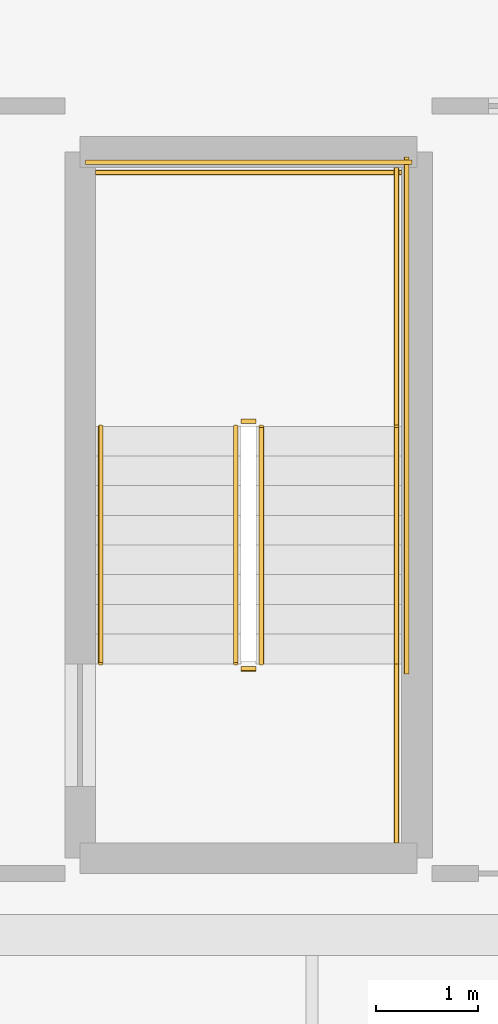
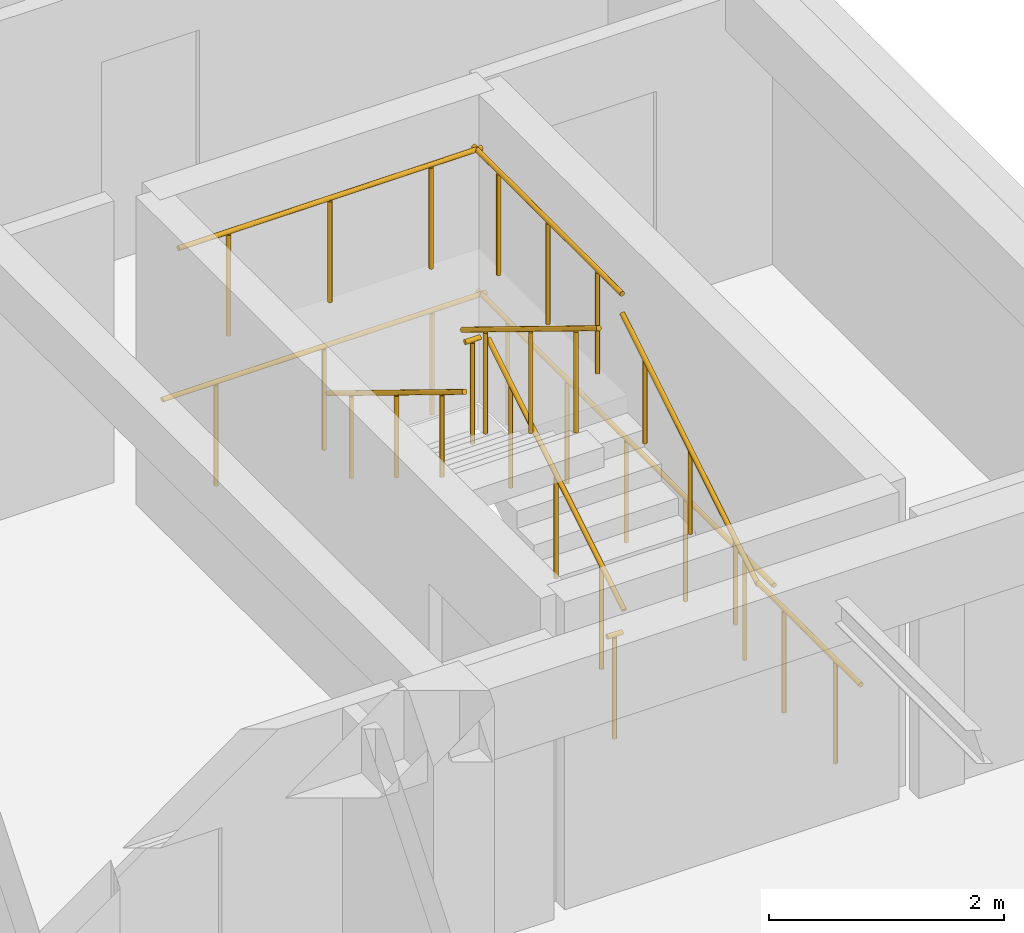
# One storey, part 122 of 128: 11 railings.
"""IFC4 building model written with IfcOpenShell, lengths in metres."""

from ifc_helpers import new_model, si_unit, direction, frame, origin, origin_2d, place, context, subcontext, project, spatial, circle, extrude, material, type_object, element, save


model = new_model("IFC4")

# Units and contexts
model_context = context("Model", 3, precision=1e-05, world=origin(), true_north=direction((0.0, 1.0)))
body_context = subcontext(model_context, "Body", "Model", "MODEL_VIEW")
ifc_project = project(units=[si_unit("LENGTHUNIT", "METRE"), si_unit("AREAUNIT", "SQUARE_METRE"), si_unit("VOLUMEUNIT", "CUBIC_METRE"), si_unit("PLANEANGLEUNIT", "RADIAN"), si_unit("MASSUNIT", "GRAM", prefix="KILO")], contexts=[model_context])

# Site, building, storey
site_placement = place(None, origin())
site = spatial("IfcSite", under=ifc_project, at=site_placement, CompositionType="ELEMENT")
building_placement = place(site_placement, origin())
building = spatial("IfcBuilding", under=site, at=building_placement, Name="Keldmere Railside Commons", CompositionType="ELEMENT")
storey_placement = place(building_placement, frame((0.0, 0.0, 4.159912109375)))
storey = spatial("IfcBuildingStorey", under=building, at=storey_placement, Name="L01", CompositionType="ELEMENT", Elevation=4.159912109375)

# Railings
ifc_material = material(Name="Steel F-24 (S235)", Category="steel")
railing_type_1 = type_object("IfcRailingType", Name="Stair Well Steel Guardrail 1100", PredefinedType="BALUSTRADE", material=ifc_material)
railing_1_placement = place(storey_placement, frame((171.280029296875, 22.050048828125, 0.177978515625)))
element("IfcRailing", 1, at=railing_1_placement, inside=storey, type_object=railing_type_1, Name="L01 ST-M2 stair guard 1", PredefinedType="BALUSTRADE", context=body_context, shape_type="SweptSolid", body=[
    extrude(circle(Radius=0.02392578125, at=origin_2d()), frame((0.0, 0.0, 1.076171875), z_axis=(0.0, 0.852578041948, 0.522599925744), x_axis=(-1.0, 0.0, 0.0)), (0.0, 0.0, 1.0), 2.72119140625),
    extrude(circle(Radius=0.02099609375, at=origin_2d()), frame((0.0, 0.38671875, 0.237060546875)), (0.0, 0.0, 1.0), 1.048095703125),
    extrude(circle(Radius=0.02099609375, at=origin_2d()), frame((0.0, 1.16015625, 0.7109375)), (0.0, 0.0, 1.0), 1.048095703125),
    extrude(circle(Radius=0.02099609375, at=origin_2d()), frame((0.0, 1.933349609375, 1.18505859375)), (0.0, 0.0, 1.0), 1.048095703125),
])
railing_2_placement = place(storey_placement, frame((171.22998046875, 24.419921875, 1.60009765625)))
element("IfcRailing", 2, at=railing_2_placement, inside=storey, type_object=railing_type_1, Name="L01 ST-M2 stair guard 2", PredefinedType="BALUSTRADE", context=body_context, shape_type="SweptSolid", body=[
    extrude(circle(Radius=0.02392578125, at=origin_2d()), frame((0.0, 0.0, 1.076171875), z_axis=(-1.0, 0.0, 0.0), x_axis=(0.0, -1.0, 0.0)), (0.0, 0.0, 1.0), 0.14990234375),
    extrude(circle(Radius=0.02099609375, at=origin_2d()), frame((-0.074951171875, 0.0, 0.0)), (0.0, 0.0, 1.0), 1.048095703125),
])
railing_3_placement = place(storey_placement, frame((172.60009765625, 24.3701171875, 1.60009765625)))
element("IfcRailing", 3, at=railing_3_placement, inside=storey, type_object=railing_type_1, Name="L01 ST-M2 stair guard 3", PredefinedType="BALUSTRADE", context=body_context, shape_type="SweptSolid", body=[
    extrude(circle(Radius=0.02392578125, at=origin_2d()), frame((0.0, 0.0, 1.076171875), z_axis=(0.0, 1.0, 0.0), x_axis=(-1.0, 0.0, 0.0)), (0.0, 0.0, 1.0), 2.52978515625),
    extrude(circle(Radius=0.02099609375, at=origin_2d()), frame((0.0, 0.421630859375, 0.0)), (0.0, 0.0, 1.0), 1.048095703125),
    extrude(circle(Radius=0.02099609375, at=origin_2d()), frame((0.0, 1.264892578125, 0.0)), (0.0, 0.0, 1.0), 1.048095703125),
    extrude(circle(Radius=0.02099609375, at=origin_2d()), frame((0.0, 2.108154296875, 0.0)), (0.0, 0.0, 1.0), 1.048095703125),
])
railing_4_placement = place(storey_placement, frame((172.64990234375, 26.85009765625, 1.60009765625)))
element("IfcRailing", 4, at=railing_4_placement, inside=storey, type_object=railing_type_1, Name="L01 ST-M2 stair guard 4", PredefinedType="BALUSTRADE", context=body_context, shape_type="SweptSolid", body=[
    extrude(circle(Radius=0.02392578125, at=origin_2d()), frame((0.0, 0.0, 1.076171875), z_axis=(-1.0, 0.0, 0.0), x_axis=(0.0, -1.0, 0.0)), (0.0, 0.0, 1.0), 2.989990234375),
    extrude(circle(Radius=0.02099609375, at=origin_2d()), frame((-0.498291015625, 0.0, 0.0)), (0.0, 0.0, 1.0), 1.048095703125),
    extrude(circle(Radius=0.02099609375, at=origin_2d()), frame((-1.4951171875, 0.0, 0.0)), (0.0, 0.0, 1.0), 1.048095703125),
    extrude(circle(Radius=0.02099609375, at=origin_2d()), frame((-2.49169921875, 0.0, 0.0)), (0.0, 0.0, 1.0), 1.048095703125),
])
railing_5_placement = place(storey_placement, frame((171.030029296875, 24.3701171875, 1.77783203125)))
element("IfcRailing", 5, at=railing_5_placement, inside=storey, type_object=railing_type_1, Name="L01 ST-M2 stair guard 5", PredefinedType="BALUSTRADE", context=body_context, shape_type="SweptSolid", body=[
    extrude(circle(Radius=0.02392578125, at=origin_2d()), frame((0.0, 0.0, 1.076171875), z_axis=(0.0, -0.852538067394, 0.522665135287), x_axis=(1.0, 0.0, 0.0)), (0.0, 0.0, 1.0), 2.721435546875),
    extrude(circle(Radius=0.02099609375, at=origin_2d()), frame((0.0, -0.38671875, 0.237060546875)), (0.0, 0.0, 1.0), 1.048095703125),
    extrude(circle(Radius=0.02099609375, at=origin_2d()), frame((0.0, -1.16015625, 0.711181640625)), (0.0, 0.0, 1.0), 1.048095703125),
    extrude(circle(Radius=0.02099609375, at=origin_2d()), frame((0.0, -1.933349609375, 1.185302734375)), (0.0, 0.0, 1.0), 1.048095703125),
])
railing_6_placement = place(storey_placement, frame((171.22998046875, 22.0, 0.0)))
element("IfcRailing", 6, at=railing_6_placement, inside=storey, type_object=railing_type_1, Name="L01 ST-M2 stair guard 6", PredefinedType="BALUSTRADE", context=body_context, shape_type="SweptSolid", body=[
    extrude(circle(Radius=0.02392578125, at=origin_2d()), frame((0.0, 0.0, 1.076171875), z_axis=(-1.0, 0.0, 0.0), x_axis=(0.0, -1.0, 0.0)), (0.0, 0.0, 1.0), 0.14990234375),
    extrude(circle(Radius=0.02099609375, at=origin_2d()), frame((-0.074951171875, 0.0, 0.0)), (0.0, 0.0, 1.0), 1.048095703125),
])
railing_7_placement = place(storey_placement, frame((172.60009765625, 20.300048828125, 0.0)))
element("IfcRailing", 7, at=railing_7_placement, inside=storey, type_object=railing_type_1, Name="L01 ST-M2 stair guard 7", PredefinedType="BALUSTRADE", context=body_context, shape_type="SweptSolid", body=[
    extrude(circle(Radius=0.02392578125, at=origin_2d()), frame((0.0, 0.0, 1.076171875), z_axis=(0.0, 1.0, 0.0), x_axis=(-1.0, 0.0, 0.0)), (0.0, 0.0, 1.0), 1.75),
    extrude(circle(Radius=0.02099609375, at=origin_2d()), frame((0.0, 0.4375, 0.0)), (0.0, 0.0, 1.0), 1.048095703125),
    extrude(circle(Radius=0.02099609375, at=origin_2d()), frame((0.0, 1.3125, 0.0)), (0.0, 0.0, 1.0), 1.048095703125),
])
railing_8_placement = place(storey_placement, frame((172.699951171875, 21.949951171875, 0.0)))
element("IfcRailing", 8, at=railing_8_placement, inside=storey, type_object=railing_type_1, Name="L01 ST-M2 stair guard 8", PredefinedType="BALUSTRADE", context=body_context, shape_type="SweptSolid", body=[
    extrude(circle(Radius=0.02392578125, at=origin_2d()), frame((0.0, 0.0, 1.076171875), z_axis=(0.0, 1.0, 0.0), x_axis=(-1.0, 0.0, 0.0)), (0.0, 0.0, 1.0), 5.050048828125),
    extrude(circle(Radius=0.02099609375, at=origin_2d()), frame((0.0, 0.5048828125, 0.0)), (0.0, 0.0, 1.0), 1.048095703125),
    extrude(circle(Radius=0.02099609375, at=origin_2d()), frame((0.0, 1.51513671875, 0.0)), (0.0, 0.0, 1.0), 1.048095703125),
    extrude(circle(Radius=0.02099609375, at=origin_2d()), frame((0.0, 2.52490234375, 0.0)), (0.0, 0.0, 1.0), 1.048095703125),
    extrude(circle(Radius=0.02099609375, at=origin_2d()), frame((0.0, 3.534912109375, 0.0)), (0.0, 0.0, 1.0), 1.048095703125),
    extrude(circle(Radius=0.02099609375, at=origin_2d()), frame((0.0, 4.544921875, 0.0)), (0.0, 0.0, 1.0), 1.048095703125),
])
railing_9_placement = place(storey_placement, frame((172.75, 26.949951171875, 0.0)))
element("IfcRailing", 9, at=railing_9_placement, inside=storey, type_object=railing_type_1, Name="L01 ST-M2 stair guard 9", PredefinedType="BALUSTRADE", context=body_context, shape_type="SweptSolid", body=[
    extrude(circle(Radius=0.02392578125, at=origin_2d()), frame((0.0, 0.0, 1.076171875), z_axis=(-1.0, 0.0, 0.0), x_axis=(0.0, -1.0, 0.0)), (0.0, 0.0, 1.0), 3.18994140625),
    extrude(circle(Radius=0.02099609375, at=origin_2d()), frame((-0.53173828125, 0.0, 0.0)), (0.0, 0.0, 1.0), 1.048095703125),
    extrude(circle(Radius=0.02099609375, at=origin_2d()), frame((-1.594970703125, 0.0, 0.0)), (0.0, 0.0, 1.0), 1.048095703125),
    extrude(circle(Radius=0.02099609375, at=origin_2d()), frame((-2.658203125, 0.0, 0.0)), (0.0, 0.0, 1.0), 1.048095703125),
])
railing_type_2 = type_object("IfcRailingType", Name="Wall-Mounted Tubular Steel Handrail 900", PredefinedType="HANDRAIL", material=ifc_material)
railing_10_placement = place(storey_placement, frame((172.60009765625, 22.050048828125, 0.177978515625)))
element("IfcRailing", 10, at=railing_10_placement, inside=storey, type_object=railing_type_2, Name="L01 ST-M2 stair handrail 1", PredefinedType="HANDRAIL", context=body_context, shape_type="SweptSolid", body=[
    extrude(circle(Radius=0.02392578125, at=origin_2d()), frame((0.0, 0.0, 0.8759765625), z_axis=(0.0, 0.852578041948, 0.522599925744), x_axis=(-1.0, 0.0, 0.0)), (0.0, 0.0, 1.0), 2.72119140625),
    extrude(circle(Radius=0.02099609375, at=origin_2d()), frame((0.0, 0.38671875, 0.237060546875)), (0.0, 0.0, 1.0), 0.847900390625),
    extrude(circle(Radius=0.02099609375, at=origin_2d()), frame((0.0, 1.16015625, 0.7109375)), (0.0, 0.0, 1.0), 0.847900390625),
    extrude(circle(Radius=0.02099609375, at=origin_2d()), frame((0.0, 1.933349609375, 1.18505859375)), (0.0, 0.0, 1.0), 0.847900390625),
])
railing_11_placement = place(storey_placement, frame((169.7099609375, 24.3701171875, 1.77783203125)))
element("IfcRailing", 11, at=railing_11_placement, inside=storey, type_object=railing_type_2, Name="L01 ST-M2 stair handrail 2", PredefinedType="HANDRAIL", context=body_context, shape_type="SweptSolid", body=[
    extrude(circle(Radius=0.02392578125, at=origin_2d()), frame((0.0, 0.0, 0.8759765625), z_axis=(0.0, -0.852538067394, 0.522665135287), x_axis=(1.0, 0.0, 0.0)), (0.0, 0.0, 1.0), 2.721435546875),
    extrude(circle(Radius=0.02099609375, at=origin_2d()), frame((0.0, -0.38671875, 0.237060546875)), (0.0, 0.0, 1.0), 0.847900390625),
    extrude(circle(Radius=0.02099609375, at=origin_2d()), frame((0.0, -1.16015625, 0.711181640625)), (0.0, 0.0, 1.0), 0.847900390625),
    extrude(circle(Radius=0.02099609375, at=origin_2d()), frame((0.0, -1.933349609375, 1.185302734375)), (0.0, 0.0, 1.0), 0.847900390625),
])

save(model, "model.ifc")
